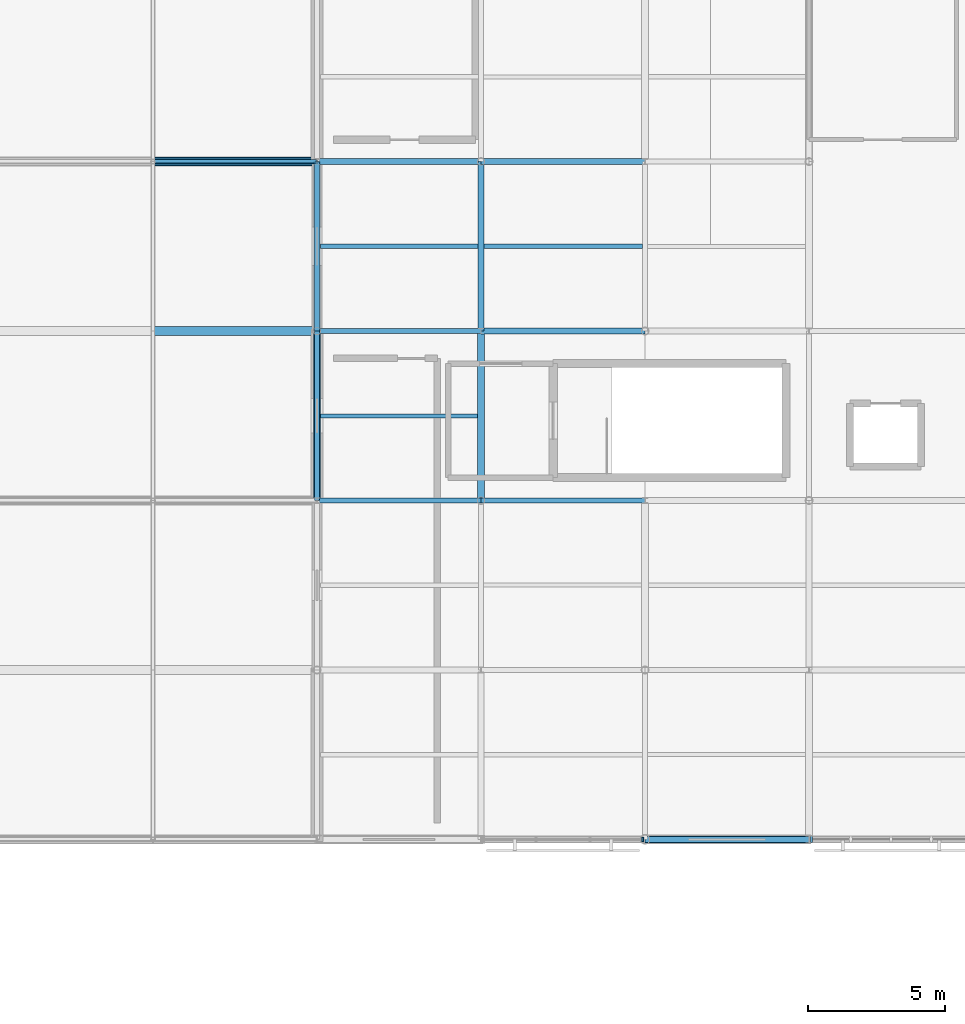
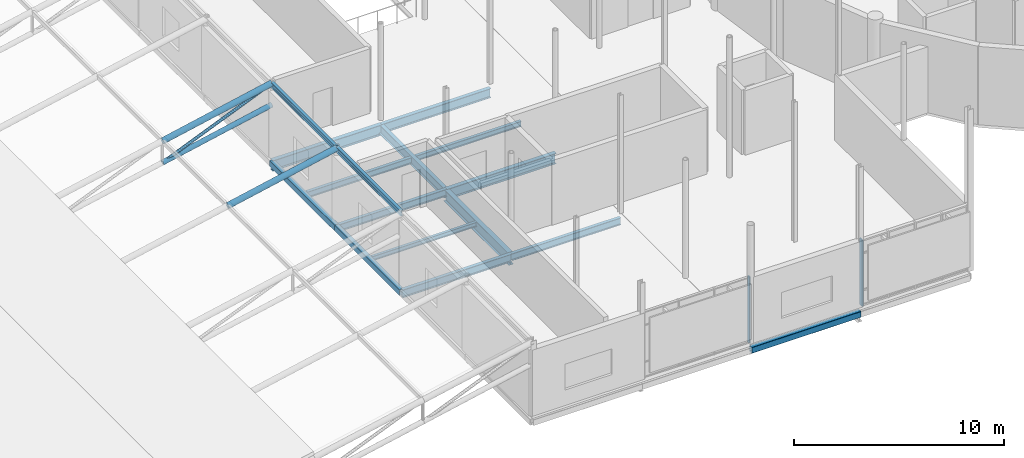
# One storey, part 20 of 66: 14 beams, 8 members, 2 elements without a shape of their own.
"""IFC4 building model written with IfcOpenShell, lengths in metres."""

from ifc_helpers import new_model, si_unit, direction, frame, origin, origin_2d, place, context, subcontext, project, spatial, rectangle, hollow_rectangle, hollow_circle, i_section, extrude, material, layer, layer_set, material_profile, profile_set, type_object, element, aggregate, save


model = new_model("IFC4")

# Units and contexts
model_context = context("Model", 3, precision=1e-05, world=origin(), true_north=direction((0.0, 1.0)))
body_context = subcontext(model_context, "Body", "Model", "MODEL_VIEW")
ifc_project = project(units=[si_unit("LENGTHUNIT", "METRE"), si_unit("AREAUNIT", "SQUARE_METRE"), si_unit("VOLUMEUNIT", "CUBIC_METRE"), si_unit("PLANEANGLEUNIT", "RADIAN"), si_unit("MASSUNIT", "GRAM", prefix="KILO")], contexts=[model_context])

# Site, building, storey
site_placement = place(None, origin())
site = spatial("IfcSite", under=ifc_project, at=site_placement, CompositionType="ELEMENT")
building_placement = place(site_placement, origin())
building = spatial("IfcBuilding", under=site, at=building_placement, Name="Mirzam Square Science Centre", CompositionType="ELEMENT")
storey_placement = place(building_placement, frame((0.0, 0.0, 15.60009765625)))
storey = spatial("IfcBuildingStorey", under=building, at=storey_placement, Name="L03", CompositionType="ELEMENT", Elevation=15.60009765625)

# Beams
ifc_material_1 = material(Name="Steel S355", Category="steel")
ifc_material_profile_1 = material_profile(ifc_material_1, i_section(OverallWidth=0.1787109375, OverallDepth=0.409423828125, WebThickness=0.0087890625, FlangeThickness=0.014404296875, FilletRadius=0.01025390625, at=origin_2d()), Name="406x178x67UB")
ifc_profile_set_1 = profile_set([ifc_material_profile_1], Name="Steel S355")
beam_type_1 = type_object("IfcBeamType", Name="BM-UB406", PredefinedType="BEAM", material=ifc_profile_set_1)
for number, where, z_axis, x_axis, name in (
    (1, (42.0, 49.60009765625, -0.46484375), (1.0, 0.0, 0.0), (0.0, 1.0, 0.0), "L03 girder X8-9"),
    (2, (36.0, 55.800048828125, -0.46484375), (1.0, 0.0, 0.0), (0.0, 1.0, 0.0), "L03 girder X7-10"),
):
    element("IfcBeam", number, at=place(storey_placement, frame(where, z_axis=z_axis, x_axis=x_axis)), inside=storey, type_object=beam_type_1, Name=name, PredefinedType="BEAM", context=body_context, shape_type="SweptSolid", body=[
        extrude(i_section(OverallWidth=0.1787109375, OverallDepth=0.409423828125, WebThickness=0.0087890625, FlangeThickness=0.014404296875, FilletRadius=0.01025390625, at=origin_2d()), origin(), (0.0, 0.0, 1.0), 6.0),
    ])
ifc_material_profile_2 = material_profile(ifc_material_1, i_section(OverallWidth=0.19140625, OverallDepth=0.4599609375, WebThickness=0.010009765625, FlangeThickness=0.01611328125, FilletRadius=0.01025390625, at=origin_2d()), Name="457x191x82UB")
ifc_profile_set_2 = profile_set([ifc_material_profile_2], Name="Steel S355")
beam_type_2 = type_object("IfcBeamType", Name="BM-UB457", PredefinedType="BEAM", material=ifc_profile_set_2)
beam_1_placement = place(storey_placement, frame((36.0, 49.60009765625, -0.489990234375), z_axis=(1.0, 0.0, 0.0), x_axis=(0.0, 1.0, 0.0)))
element("IfcBeam", 3, at=beam_1_placement, inside=storey, type_object=beam_type_2, Name="L03 girder X7-9", PredefinedType="BEAM", context=body_context, shape_type="SweptSolid", body=[
    extrude(i_section(OverallWidth=0.19140625, OverallDepth=0.4599609375, WebThickness=0.010009765625, FlangeThickness=0.01611328125, FilletRadius=0.01025390625, at=origin_2d()), origin(), (0.0, 0.0, 1.0), 6.0),
])
ifc_material_profile_3 = material_profile(ifc_material_1, i_section(OverallWidth=0.2099609375, OverallDepth=0.53662109375, WebThickness=0.0107421875, FlangeThickness=0.017333984375, FilletRadius=0.0126953125, at=origin_2d()), Name="533x210x101UB")
ifc_profile_set_3 = profile_set([ifc_material_profile_3], Name="Steel S355")
beam_type_3 = type_object("IfcBeamType", Name="BM-UB533", PredefinedType="BEAM", material=ifc_profile_set_3)
beam_2_placement = place(storey_placement, frame((42.0, 62.0, -0.528564453125), z_axis=(1.0, 0.0, 0.0), x_axis=(0.0, 1.0, 0.0)))
element("IfcBeam", 4, at=beam_2_placement, inside=storey, type_object=beam_type_3, Name="L03 girder X8-11", PredefinedType="BEAM", context=body_context, shape_type="SweptSolid", body=[
    extrude(i_section(OverallWidth=0.2099609375, OverallDepth=0.53662109375, WebThickness=0.0107421875, FlangeThickness=0.017333984375, FilletRadius=0.0126953125, at=origin_2d()), origin(), (0.0, 0.0, 1.0), 6.0),
])
beam_3_placement = place(storey_placement, frame((42.0, 55.800048828125, -0.528564453125), z_axis=(0.0, 1.0, 0.0), x_axis=(-1.0, 0.0, 0.0)))
element("IfcBeam", 5, at=beam_3_placement, inside=storey, type_object=beam_type_3, Name="L03 girder Y8-10", PredefinedType="BEAM", context=body_context, shape_type="SweptSolid", body=[
    extrude(i_section(OverallWidth=0.2099609375, OverallDepth=0.53662109375, WebThickness=0.0107421875, FlangeThickness=0.017333984375, FilletRadius=0.0126953125, at=origin_2d()), origin(), (0.0, 0.0, 1.0), 6.199951171875),
])
ifc_material_profile_4 = material_profile(ifc_material_1, i_section(OverallWidth=0.22900390625, OverallDepth=0.6123046875, WebThickness=0.011962890625, FlangeThickness=0.01953125, FilletRadius=0.0126953125, at=origin_2d()), Name="610x229x125UB")
ifc_profile_set_4 = profile_set([ifc_material_profile_4], Name="Steel S355")
beam_type_4 = type_object("IfcBeamType", Name="BM-UB610", PredefinedType="BEAM", material=ifc_profile_set_4)
for number, where, z_axis, x_axis, name in (
    (6, (42.0, 55.800048828125, -0.566162109375), (1.0, 0.0, 0.0), (0.0, 1.0, 0.0), "L03 girder X8-10"),
    (7, (36.0, 62.0, -0.566162109375), (1.0, 0.0, 0.0), (0.0, 1.0, 0.0), "L03 girder X7-11"),
):
    element("IfcBeam", number, at=place(storey_placement, frame(where, z_axis=z_axis, x_axis=x_axis)), inside=storey, type_object=beam_type_4, Name=name, PredefinedType="BEAM", context=body_context, shape_type="SweptSolid", body=[
        extrude(i_section(OverallWidth=0.22900390625, OverallDepth=0.6123046875, WebThickness=0.011962890625, FlangeThickness=0.01953125, FilletRadius=0.0126953125, at=origin_2d()), origin(), (0.0, 0.0, 1.0), 6.0),
    ])
ifc_material_profile_5 = material_profile(ifc_material_1, i_section(OverallWidth=0.25439453125, OverallDepth=0.6875, WebThickness=0.01318359375, FlangeThickness=0.02099609375, FilletRadius=0.01513671875, at=origin_2d()), Name="686x254x152UB")
ifc_profile_set_5 = profile_set([ifc_material_profile_5], Name="Steel S355")
beam_type_5 = type_object("IfcBeamType", Name="BM-UB686", PredefinedType="BEAM", material=ifc_profile_set_5)
beam_4_placement = place(storey_placement, frame((42.0, 49.60009765625, -0.60400390625), z_axis=(0.0, 1.0, 0.0), x_axis=(-1.0, 0.0, 0.0)))
element("IfcBeam", 8, at=beam_4_placement, inside=storey, type_object=beam_type_5, Name="L03 girder Y8-9", PredefinedType="BEAM", context=body_context, shape_type="SweptSolid", body=[
    extrude(i_section(OverallWidth=0.25439453125, OverallDepth=0.6875, WebThickness=0.01318359375, FlangeThickness=0.02099609375, FilletRadius=0.01513671875, at=origin_2d()), origin(), (0.0, 0.0, 1.0), 6.199951171875),
])

# Members
ifc_material_profile_6 = material_profile(ifc_material_1, hollow_circle(Radius=0.084228515625, WallThickness=0.008056640625, at=origin_2d()), Name="168.3x8.0CHS")
ifc_profile_set_6 = profile_set([ifc_material_profile_6], Name="Steel S355")
member_type_1 = type_object("IfcMemberType", Name="BR-CHS168", PredefinedType="BRACE", material=ifc_profile_set_6)
member_1_placement = place(storey_placement, frame((30.0, 62.0, 1.67431640625), z_axis=(0.922529582988, 0.0, 0.385926377063), x_axis=(0.0, 1.0, 0.0)))
element("IfcMember", 9, at=member_1_placement, inside=storey, type_object=member_type_1, Name="Wedge truss web diagonal Y11 bay 6", PredefinedType="BRACE", context=body_context, shape_type="SweptSolid", body=[
    extrude(hollow_circle(Radius=0.084228515625, WallThickness=0.008056640625, at=origin_2d()), origin(), (0.0, 0.0, 1.0), 6.50390625),
])
ifc_material_profile_7 = material_profile(ifc_material_1, hollow_circle(Radius=0.136474609375, WallThickness=0.010009765625, at=origin_2d()), Name="273.0x10.0CHS")
ifc_profile_set_7 = profile_set([ifc_material_profile_7], Name="Steel S355")
member_type_2 = type_object("IfcMemberType", Name="CH-CHS273", PredefinedType="CHORD", material=ifc_profile_set_7)
member_2_placement = place(storey_placement, frame((30.0, 62.0, 1.67431640625), z_axis=(0.978653176229, 0.0, 0.205518759868), x_axis=(0.0, 1.0, 0.0)))
element("IfcMember", 10, at=member_2_placement, inside=storey, type_object=member_type_2, Name="Wedge truss bottom chord Y11 bay 6", PredefinedType="CHORD", context=body_context, shape_type="SweptSolid", body=[
    extrude(hollow_circle(Radius=0.136474609375, WallThickness=0.010009765625, at=origin_2d()), origin(), (0.0, 0.0, 1.0), 6.130859375),
])
ifc_material_profile_8 = material_profile(ifc_material_1, hollow_circle(Radius=0.161865234375, WallThickness=0.012451171875, at=origin_2d()), Name="323.9x12.5CHS")
ifc_profile_set_8 = profile_set([ifc_material_profile_8], Name="Steel S355")
member_type_3 = type_object("IfcMemberType", Name="CH-CHS324", PredefinedType="CHORD", material=ifc_profile_set_8)
for number, where, z_axis, x_axis, name in (
    (11, (30.0, 55.800048828125, 2.92431640625), (0.978653176229, 0.0, 0.205518759868), (0.0, 1.0, 0.0), "Wedge truss top chord Y10 bay 6"),
    (12, (30.0, 62.0, 2.92431640625), (0.978653176229, 0.0, 0.205518759868), (0.0, 1.0, 0.0), "Wedge truss top chord Y11 bay 6"),
):
    element("IfcMember", number, at=place(storey_placement, frame(where, z_axis=z_axis, x_axis=x_axis)), inside=storey, type_object=member_type_3, Name=name, PredefinedType="CHORD", context=body_context, shape_type="SweptSolid", body=[
        extrude(hollow_circle(Radius=0.161865234375, WallThickness=0.012451171875, at=origin_2d()), origin(), (0.0, 0.0, 1.0), 6.130859375),
    ])

# Curtain wall, member
ifc_material_2 = material(Name="Anodised Aluminium and Low-E Solar Glass", Category="aluminium")
ifc_layer_1 = layer(ifc_material_2, 0.199951171875)
ifc_layer_set_1 = layer_set([ifc_layer_1], Name="CW-PARK-B")
curtain_wall_type_1 = type_object("IfcCurtainWallType", Name="CW-PARK-B", PredefinedType="USERDEFINED", material=ifc_layer_set_1)
curtain_wall_1_placement = place(storey_placement, origin())
curtain_wall_1 = element("IfcCurtainWall", 13, at=curtain_wall_1_placement, inside=storey, type_object=curtain_wall_type_1, Name="L03 unitised curtain wall 34", ObjectType="UNITISED CURTAIN WALL", PredefinedType="USERDEFINED")
ifc_material_3 = material(Name="Anodised Architectural Aluminium 6063-T6", Category="aluminium")
ifc_material_profile_9 = material_profile(ifc_material_3, rectangle(XDim=0.06005859375, YDim=0.159912109375, at=origin_2d()), Name="ALU-MULL-160x60x4")
ifc_profile_set_9 = profile_set([ifc_material_profile_9], Name="Anodised Architectural Aluminium 6063-T6")
member_type_4 = type_object("IfcMemberType", Name="CWM-160", PredefinedType="MULLION", material=ifc_profile_set_9)
member_3_placement = place(storey_placement, frame((47.9150390625, 37.199951171875, 0.0), z_axis=(0.0, 0.0, 1.0), x_axis=(1.0, 0.0, 0.0)))
member_3 = element("IfcMember", 14, at=member_3_placement, type_object=member_type_4, Name="CW-02 mullion 4", PredefinedType="MULLION", context=body_context, shape_type="SweptSolid", body=[
    extrude(rectangle(XDim=0.06005859375, YDim=0.159912109375, at=origin_2d()), origin(), (0.0, 0.0, 1.0), 3.83984375),
])
aggregate(curtain_wall_1, [member_3])

ifc_layer_2 = layer(ifc_material_2, 0.159912109375)
ifc_layer_set_2 = layer_set([ifc_layer_2], Name="CW-COURT-B")
curtain_wall_type_2 = type_object("IfcCurtainWallType", Name="CW-COURT-B", PredefinedType="USERDEFINED", material=ifc_layer_set_2)
curtain_wall_2_placement = place(storey_placement, origin())
curtain_wall_2 = element("IfcCurtainWall", 15, at=curtain_wall_2_placement, inside=storey, type_object=curtain_wall_type_2, Name="L03 unitised curtain wall 35", ObjectType="UNITISED CURTAIN WALL", PredefinedType="USERDEFINED")
ifc_material_profile_10 = material_profile(ifc_material_3, rectangle(XDim=0.074951171875, YDim=0.239990234375, at=origin_2d()), Name="ALU-MULL-240x75x5")
ifc_profile_set_10 = profile_set([ifc_material_profile_10], Name="Anodised Architectural Aluminium 6063-T6")
member_type_5 = type_object("IfcMemberType", Name="CWM-240", PredefinedType="MULLION", material=ifc_profile_set_10)
member_4_placement = place(storey_placement, frame((54.092529296875, 37.199951171875, 0.0), z_axis=(0.0, 0.0, 1.0), x_axis=(1.0, 0.0, 0.0)))
member_4 = element("IfcMember", 16, at=member_4_placement, type_object=member_type_5, Name="CW-04 mullion 1", PredefinedType="MULLION", context=body_context, shape_type="SweptSolid", body=[
    extrude(rectangle(XDim=0.074951171875, YDim=0.239990234375, at=origin_2d()), origin(), (0.0, 0.0, 1.0), 3.83984375),
])
aggregate(curtain_wall_2, [member_4])

# Beams
ifc_material_profile_11 = material_profile(ifc_material_1, i_section(OverallWidth=0.146484375, OverallDepth=0.256103515625, WebThickness=0.00634765625, FlangeThickness=0.010986328125, FilletRadius=0.007568359375, at=origin_2d()), Name="254x146x37UB")
ifc_profile_set_11 = profile_set([ifc_material_profile_11], Name="Steel S355")
beam_type_6 = type_object("IfcBeamType", Name="JS-UB254", PredefinedType="JOIST", material=ifc_profile_set_11)
beam_5_placement = place(storey_placement, frame((36.125, 52.699951171875, -0.38818359375), z_axis=(1.0, 0.0, 0.0), x_axis=(0.0, 1.0, 0.0)))
element("IfcBeam", 17, at=beam_5_placement, inside=storey, type_object=beam_type_6, Name="L03 composite joist 7-9", PredefinedType="JOIST", context=body_context, shape_type="SweptSolid", body=[
    extrude(i_section(OverallWidth=0.146484375, OverallDepth=0.256103515625, WebThickness=0.00634765625, FlangeThickness=0.010986328125, FilletRadius=0.007568359375, at=origin_2d()), origin(), (0.0, 0.0, 1.0), 5.747802734375),
])
ifc_material_profile_12 = material_profile(ifc_material_1, i_section(OverallWidth=0.165771484375, OverallDepth=0.306640625, WebThickness=0.006591796875, FlangeThickness=0.01171875, FilletRadius=0.0087890625, at=origin_2d()), Name="305x165x46UB")
ifc_profile_set_12 = profile_set([ifc_material_profile_12], Name="Steel S355")
beam_type_7 = type_object("IfcBeamType", Name="JS-UB305", PredefinedType="JOIST", material=ifc_profile_set_12)
beam_6_placement = place(storey_placement, frame((42.10498046875, 58.89990234375, -0.413330078125), z_axis=(1.0, 0.0, 0.0), x_axis=(0.0, 1.0, 0.0)))
element("IfcBeam", 18, at=beam_6_placement, inside=storey, type_object=beam_type_7, Name="L03 composite joist 8-10", PredefinedType="JOIST", context=body_context, shape_type="SweptSolid", body=[
    extrude(i_section(OverallWidth=0.165771484375, OverallDepth=0.306640625, WebThickness=0.006591796875, FlangeThickness=0.01171875, FilletRadius=0.0087890625, at=origin_2d()), origin(), (0.0, 0.0, 1.0), 5.79931640625),
])
ifc_material_profile_13 = material_profile(ifc_material_1, i_section(OverallWidth=0.172119140625, OverallDepth=0.35791015625, WebThickness=0.008056640625, FlangeThickness=0.012939453125, FilletRadius=0.01025390625, at=origin_2d()), Name="356x171x57UB")
ifc_profile_set_13 = profile_set([ifc_material_profile_13], Name="Steel S355")
beam_type_8 = type_object("IfcBeamType", Name="JS-UB356", PredefinedType="JOIST", material=ifc_profile_set_13)
beam_7_placement = place(storey_placement, frame((36.125, 58.89990234375, -0.439208984375), z_axis=(1.0, 0.0, 0.0), x_axis=(0.0, 1.0, 0.0)))
element("IfcBeam", 19, at=beam_7_placement, inside=storey, type_object=beam_type_8, Name="L03 composite joist 7-10", PredefinedType="JOIST", context=body_context, shape_type="SweptSolid", body=[
    extrude(i_section(OverallWidth=0.172119140625, OverallDepth=0.35791015625, WebThickness=0.008056640625, FlangeThickness=0.012939453125, FilletRadius=0.01025390625, at=origin_2d()), origin(), (0.0, 0.0, 1.0), 5.77001953125),
])

# Members
ifc_material_profile_14 = material_profile(ifc_material_1, i_section(OverallWidth=0.165771484375, OverallDepth=0.306640625, WebThickness=0.006591796875, FlangeThickness=0.01171875, FilletRadius=0.0087890625, at=origin_2d()), Name="305x165x46UB")
ifc_profile_set_14 = profile_set([ifc_material_profile_14], Name="Steel S355")
member_type_6 = type_object("IfcMemberType", Name="RF-UB305", PredefinedType="RAFTER", material=ifc_profile_set_14)
for number, where, z_axis, x_axis, name in (
    (20, (36.0, 49.60009765625, 4.158203125), (0.0, 1.0, 0.0), (-1.0, 0.0, 0.0), "Wedge roof rafter X7-9"),
    (21, (36.0, 55.800048828125, 4.158203125), (0.0, 1.0, 0.0), (-1.0, 0.0, 0.0), "Wedge roof rafter X7-10"),
):
    element("IfcMember", number, at=place(storey_placement, frame(where, z_axis=z_axis, x_axis=x_axis)), inside=storey, type_object=member_type_6, Name=name, PredefinedType="RAFTER", context=body_context, shape_type="SweptSolid", body=[
        extrude(i_section(OverallWidth=0.165771484375, OverallDepth=0.306640625, WebThickness=0.006591796875, FlangeThickness=0.01171875, FilletRadius=0.0087890625, at=origin_2d()), origin(), (0.0, 0.0, 1.0), 6.199951171875),
    ])

# Beams
ifc_material_profile_15 = material_profile(ifc_material_1, hollow_rectangle(XDim=0.25, YDim=0.35009765625, WallThickness=0.012451171875, InnerFilletRadius=0.012451171875, OuterFilletRadius=0.02490234375, at=origin_2d()), Name="350x250x12.5RHS")
ifc_profile_set_15 = profile_set([ifc_material_profile_15], Name="Steel S355")
beam_type_9 = type_object("IfcBeamType", Name="SP-RHS350", PredefinedType="SPANDREL", material=ifc_profile_set_15)
beam_8_placement = place(storey_placement, frame((48.0, 37.199951171875, -0.43505859375), z_axis=(1.0, 0.0, 0.0), x_axis=(0.0, 1.0, 0.0)))
element("IfcBeam", 22, at=beam_8_placement, inside=storey, type_object=beam_type_9, Name="L03 girder X9-7", PredefinedType="SPANDREL", context=body_context, shape_type="SweptSolid", body=[
    extrude(hollow_rectangle(XDim=0.25, YDim=0.35009765625, WallThickness=0.012451171875, InnerFilletRadius=0.012451171875, OuterFilletRadius=0.02490234375, at=origin_2d()), origin(), (0.0, 0.0, 1.0), 6.0),
])
for number, where, z_axis, x_axis, name in (
    (23, (36.0, 49.60009765625, -0.43505859375), (0.0, 1.0, 0.0), (-1.0, 0.0, 0.0), "L03 girder Y7-9"),
    (24, (36.0, 55.800048828125, -0.43505859375), (0.0, 1.0, 0.0), (-1.0, 0.0, 0.0), "L03 girder Y7-10"),
):
    element("IfcBeam", number, at=place(storey_placement, frame(where, z_axis=z_axis, x_axis=x_axis)), inside=storey, type_object=beam_type_9, Name=name, PredefinedType="SPANDREL", context=body_context, shape_type="SweptSolid", body=[
        extrude(hollow_rectangle(XDim=0.25, YDim=0.35009765625, WallThickness=0.012451171875, InnerFilletRadius=0.012451171875, OuterFilletRadius=0.02490234375, at=origin_2d()), origin(), (0.0, 0.0, 1.0), 6.199951171875),
    ])

save(model, "model.ifc")
